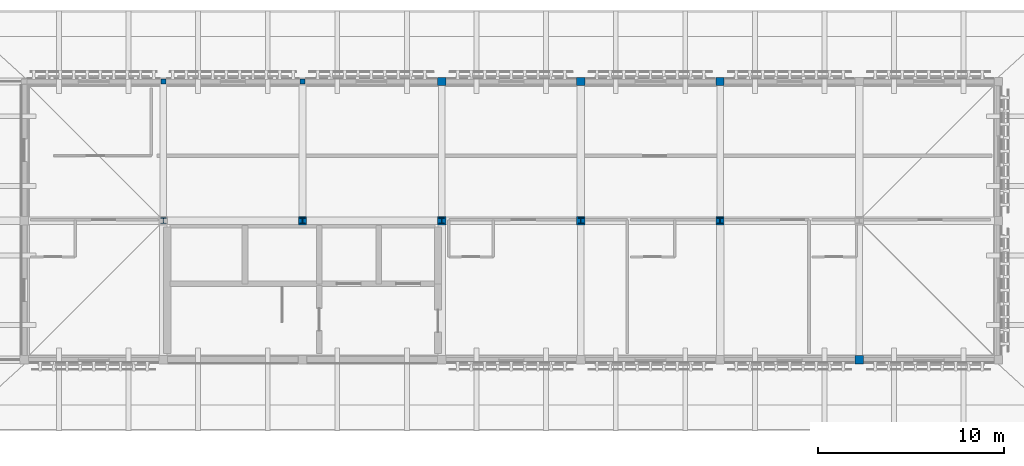
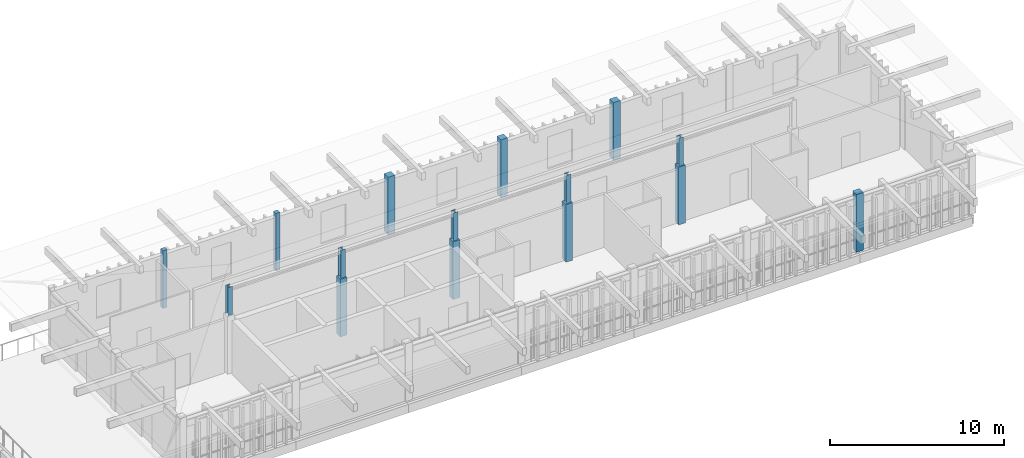
# One storey, part 6 of 33: 15 columns.
"""IFC4 building model written with IfcOpenShell, lengths in metres."""

from ifc_helpers import new_model, si_unit, direction, frame, origin, origin_2d, place, context, subcontext, project, spatial, rectangle, i_section, extrude, material, material_profile, profile_set, type_object, element, save


model = new_model("IFC4")

# Units and contexts
model_context = context("Model", 3, precision=1e-05, world=origin(), true_north=direction((0.0, 1.0)))
body_context = subcontext(model_context, "Body", "Model", "MODEL_VIEW")
ifc_project = project(units=[si_unit("LENGTHUNIT", "METRE"), si_unit("AREAUNIT", "SQUARE_METRE"), si_unit("VOLUMEUNIT", "CUBIC_METRE"), si_unit("PLANEANGLEUNIT", "RADIAN"), si_unit("MASSUNIT", "GRAM", prefix="KILO")], contexts=[model_context])

# Site, building, storey
site_placement = place(None, origin())
site = spatial("IfcSite", under=ifc_project, at=site_placement, CompositionType="ELEMENT")
building_placement = place(site_placement, origin())
building = spatial("IfcBuilding", under=site, at=building_placement, Name="Dalvernix Boulevard General Hospital", CompositionType="ELEMENT")
storey_placement = place(building_placement, frame((0.0, 0.0, 21.89990234375)))
storey = spatial("IfcBuildingStorey", under=building, at=storey_placement, Name="L05", CompositionType="ELEMENT", Elevation=21.89990234375)

# Columns
ifc_material_1 = material(Name="Concrete C40/50", Category="concrete")
ifc_material_profile_1 = material_profile(ifc_material_1, rectangle(XDim=0.449951171875, YDim=0.449951171875, at=origin_2d()), Name="RC 450x450")
ifc_profile_set_1 = profile_set([ifc_material_profile_1], Name="Concrete C40/50")
column_type_1 = type_object("IfcColumnType", Name="COL-C-10-E", PredefinedType="COLUMN", material=ifc_profile_set_1)
for number, where, z_axis, x_axis, name in (
    (1, (142.5, 22.5, 0.0), (0.0, 0.0, 1.0), (1.0, 0.0, 0.0), "L05 column 20D"),
    (2, (150.0, 22.5, 0.0), (0.0, 0.0, 1.0), (1.0, 0.0, 0.0), "L05 column 21D"),
    (3, (157.5, 22.5, 0.0), (0.0, 0.0, 1.0), (1.0, 0.0, 0.0), "L05 column 22D"),
    (4, (165.0, 7.5, 0.0), (0.0, 0.0, 1.0), (1.0, 0.0, 0.0), "L05 column 23B"),
):
    element("IfcColumn", number, at=place(storey_placement, frame(where, z_axis=z_axis, x_axis=x_axis)), inside=storey, type_object=column_type_1, Name=name, PredefinedType="COLUMN", context=body_context, shape_type="SweptSolid", body=[
        extrude(rectangle(XDim=0.449951171875, YDim=0.449951171875, at=origin_2d()), origin(), (0.0, 0.0, 1.0), 4.050048828125),
    ])
ifc_material_profile_2 = material_profile(ifc_material_1, rectangle(XDim=0.449951171875, YDim=0.449951171875, at=origin_2d()), Name="RC 450x450")
ifc_profile_set_2 = profile_set([ifc_material_profile_2], Name="Concrete C40/50")
column_type_2 = type_object("IfcColumnType", Name="COL-C-10-I", PredefinedType="COLUMN", material=ifc_profile_set_2)
for number, where, z_axis, x_axis, name in (
    (5, (135.0, 15.0, 0.0), (0.0, 0.0, 1.0), (1.0, 0.0, 0.0), "L05 column 19C"),
    (6, (142.5, 15.0, 0.0), (0.0, 0.0, 1.0), (1.0, 0.0, 0.0), "L05 column 20C"),
    (7, (150.0, 15.0, 0.0), (0.0, 0.0, 1.0), (1.0, 0.0, 0.0), "L05 column 21C"),
    (8, (157.5, 15.0, 0.0), (0.0, 0.0, 1.0), (1.0, 0.0, 0.0), "L05 column 22C"),
):
    element("IfcColumn", number, at=place(storey_placement, frame(where, z_axis=z_axis, x_axis=x_axis)), inside=storey, type_object=column_type_2, Name=name, PredefinedType="COLUMN", context=body_context, shape_type="SweptSolid", body=[
        extrude(rectangle(XDim=0.449951171875, YDim=0.449951171875, at=origin_2d()), origin(), (0.0, 0.0, 1.0), 4.050048828125),
    ])
ifc_material_2 = material(Name="Steel S355", Category="steel")
ifc_material_profile_3 = material_profile(ifc_material_2, i_section(OverallWidth=0.300048828125, OverallDepth=0.300048828125, WebThickness=0.010986328125, FlangeThickness=0.01904296875, FilletRadius=0.027099609375, at=origin_2d()), Name="HEB 300")
ifc_profile_set_3 = profile_set([ifc_material_profile_3], Name="Steel S355")
column_type_3 = type_object("IfcColumnType", Name="COL-C-18", PredefinedType="COLUMN", material=ifc_profile_set_3)
for number, where, z_axis, x_axis, name in (
    (9, (127.5, 15.0, 4.050048828125), (0.0, 0.0, 1.0), (1.0, 0.0, 0.0), "V5 roof king post 18C"),
    (10, (135.0, 15.0, 4.050048828125), (0.0, 0.0, 1.0), (1.0, 0.0, 0.0), "V5 roof king post 19C"),
    (11, (142.5, 15.0, 4.050048828125), (0.0, 0.0, 1.0), (1.0, 0.0, 0.0), "V5 roof king post 20C"),
    (12, (150.0, 15.0, 4.050048828125), (0.0, 0.0, 1.0), (1.0, 0.0, 0.0), "V5 roof king post 21C"),
    (13, (157.5, 15.0, 4.050048828125), (0.0, 0.0, 1.0), (1.0, 0.0, 0.0), "V5 roof king post 22C"),
):
    element("IfcColumn", number, at=place(storey_placement, frame(where, z_axis=z_axis, x_axis=x_axis)), inside=storey, type_object=column_type_3, Name=name, PredefinedType="COLUMN", context=body_context, shape_type="SweptSolid", body=[
        extrude(i_section(OverallWidth=0.300048828125, OverallDepth=0.300048828125, WebThickness=0.010986328125, FlangeThickness=0.01904296875, FilletRadius=0.027099609375, at=origin_2d()), origin(), (0.0, 0.0, 1.0), 1.97021484375),
    ])
ifc_material_3 = material(Name="Glulam GL28h", Category="wood")
ifc_material_profile_4 = material_profile(ifc_material_3, rectangle(XDim=0.280029296875, YDim=0.280029296875, at=origin_2d()), Name="GL28h 280x280")
ifc_profile_set_4 = profile_set([ifc_material_profile_4], Name="Glulam GL28h")
column_type_4 = type_object("IfcColumnType", Name="COL-C-21-E", PredefinedType="COLUMN", material=ifc_profile_set_4)
for number, where, z_axis, x_axis, name in (
    (14, (127.5, 22.5, 0.0), (0.0, 0.0, 1.0), (1.0, 0.0, 0.0), "L05 column 18D"),
    (15, (135.0, 22.5, 0.0), (0.0, 0.0, 1.0), (1.0, 0.0, 0.0), "L05 column 19D"),
):
    element("IfcColumn", number, at=place(storey_placement, frame(where, z_axis=z_axis, x_axis=x_axis)), inside=storey, type_object=column_type_4, Name=name, PredefinedType="COLUMN", context=body_context, shape_type="SweptSolid", body=[
        extrude(rectangle(XDim=0.280029296875, YDim=0.280029296875, at=origin_2d()), origin(), (0.0, 0.0, 1.0), 4.050048828125),
    ])

save(model, "model.ifc")
